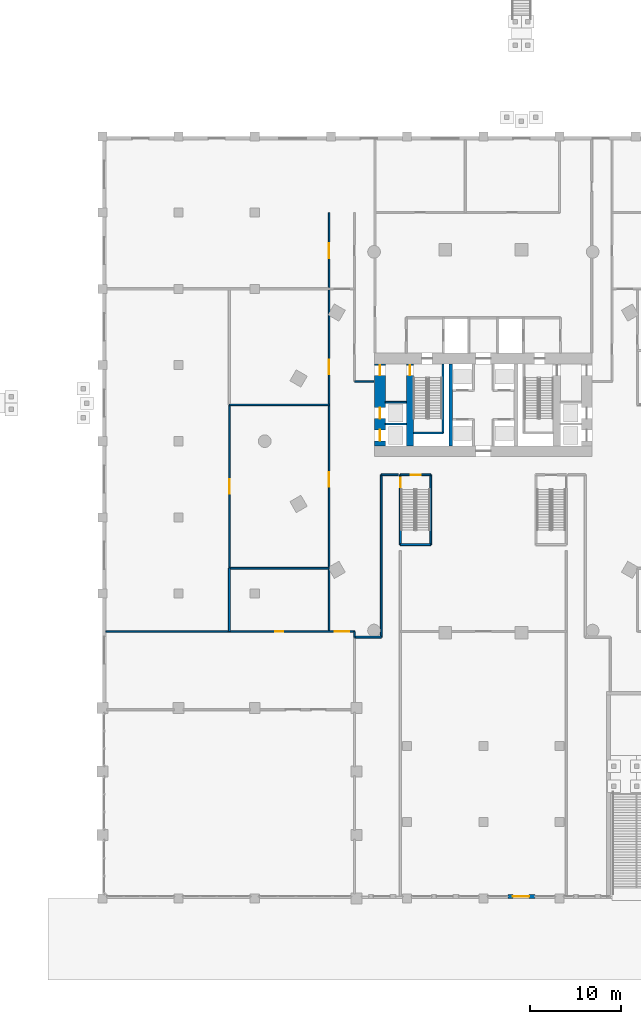
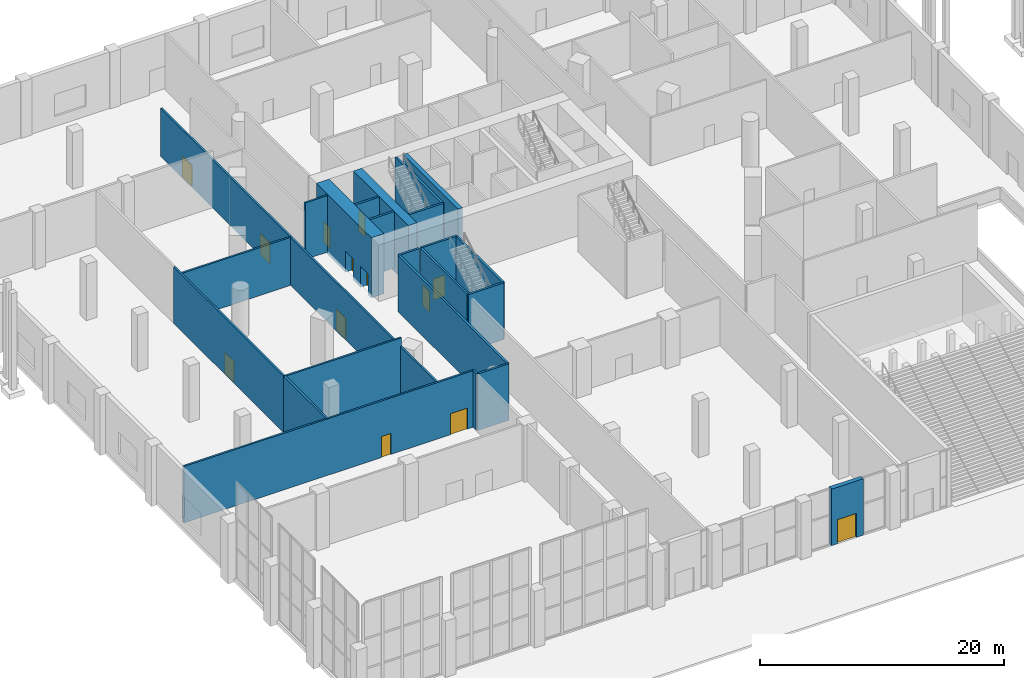
# One storey, part 13 of 25: 23 walls, 13 doors, 13 openings.
"""IFC4 building model written with IfcOpenShell, lengths in metres."""

from ifc_helpers import new_model, si_unit, direction, frame, frame_2d, origin, place, context, subcontext, project, spatial, rectangle, extrude, material, layer, layer_set, type_object, element, fill, save


model = new_model("IFC4")

# Units and contexts
model_context = context("Model", 3, precision=1e-05, world=origin(), true_north=direction((0.0, 1.0)))
body_context = subcontext(model_context, "Body", "Model", "MODEL_VIEW")
ifc_project = project(units=[si_unit("LENGTHUNIT", "METRE"), si_unit("AREAUNIT", "SQUARE_METRE"), si_unit("VOLUMEUNIT", "CUBIC_METRE"), si_unit("PLANEANGLEUNIT", "RADIAN"), si_unit("MASSUNIT", "GRAM", prefix="KILO")], contexts=[model_context])

# Site, building, storey
site_placement = place(None, origin())
site = spatial("IfcSite", under=ifc_project, at=site_placement, CompositionType="ELEMENT")
building_placement = place(site_placement, origin())
building = spatial("IfcBuilding", under=site, at=building_placement, Name="Ostrander Bayou Hotel Tower", CompositionType="ELEMENT")
storey_placement = place(building_placement, origin())
storey = spatial("IfcBuildingStorey", under=building, at=storey_placement, Name="L00", CompositionType="ELEMENT", Elevation=0.0)

# Wall, openings, doors
ifc_material_1 = material(Name="Concrete f'c 70 MPa", Category="concrete")
ifc_layer_1 = layer(ifc_material_1, 1.199951171875)
ifc_layer_set_1 = layer_set([ifc_layer_1], Name="CW1 core wall 1200 mm f'c 70 MPa")
wall_type_1 = type_object("IfcWallType", Name="CW1 core wall 1200 mm f'c 70 MPa", PredefinedType="SHEAR", material=ifc_layer_set_1)
wall_1_placement = place(storey_placement, frame((-11.39990234375, -0.5, -0.35009765625), z_axis=(0.0, 0.0, 1.0), x_axis=(0.0, 1.0, 0.0)))
wall_1 = element("IfcWall", 1, at=wall_1_placement, inside=storey, type_object=wall_type_1, Name="CW1 L00 RW", PredefinedType="SHEAR", context=body_context, shape_type="SweptSolid", body=[
    extrude(rectangle(XDim=9.0, YDim=1.199951171875, at=frame_2d((4.5, 0.0))), origin(), (0.0, 0.0, 1.0), 6.0),
])
opening_1_placement = place(wall_1_placement, frame((7.75, 0.0, 0.0)))
opening_1 = element("IfcOpeningElement", 2, at=opening_1_placement, cuts=wall_1, Name="Opening T00-017", PredefinedType="OPENING", context=body_context, shape_type="SweptSolid", body=[
    extrude(rectangle(XDim=1.10009765625, YDim=2.10009765625, at=frame_2d((0.550048828125, 1.050048828125))), frame((0.0, 0.60009765625, 0.0), z_axis=(0.0, -1.0, 0.0), x_axis=(1.0, 0.0, 0.0)), (0.0, 0.0, 1.0), 1.199951171875),
])
opening_2_placement = place(wall_1_placement, frame((0.550048828125, 0.0, 0.0)))
opening_2 = element("IfcOpeningElement", 3, at=opening_2_placement, cuts=wall_1, Name="Opening T00-018", PredefinedType="OPENING", context=body_context, shape_type="SweptSolid", body=[
    extrude(rectangle(XDim=1.199951171875, YDim=2.10009765625, at=frame_2d((0.60009765625, 1.050048828125))), frame((0.0, 0.60009765625, 0.0), z_axis=(0.0, -1.0, 0.0), x_axis=(1.0, 0.0, 0.0)), (0.0, 0.0, 1.0), 1.199951171875),
])
opening_3_placement = place(wall_1_placement, frame((3.0, 0.0, 0.0)))
opening_3 = element("IfcOpeningElement", 4, at=opening_3_placement, cuts=wall_1, Name="Opening T00-019", PredefinedType="OPENING", context=body_context, shape_type="SweptSolid", body=[
    extrude(rectangle(XDim=1.199951171875, YDim=2.10009765625, at=frame_2d((0.60009765625, 1.050048828125))), frame((0.0, 0.60009765625, 0.0), z_axis=(0.0, -1.0, 0.0), x_axis=(1.0, 0.0, 0.0)), (0.0, 0.0, 1.0), 1.199951171875),
])
ifc_material_2 = material(Name="Timber door leaf", Category="wood")
door_type_1 = type_object("IfcDoorType", Name="D5 stair door 1100 x 2100 mm, 90 minute", OperationType="SINGLE_SWING_LEFT", PredefinedType="DOOR", material=ifc_material_2)
door_1_placement = place(opening_1_placement, origin())
door_1 = element("IfcDoor", 5, at=door_1_placement, inside=storey, type_object=door_type_1, Name="dr:L00:017", OperationType="SINGLE_SWING_LEFT", OverallHeight=2.10009765625, OverallWidth=1.10009765625, PredefinedType="DOOR", context=body_context, shape_type="SweptSolid", body=[
    extrude(rectangle(XDim=1.10009765625, YDim=2.10009765625, at=frame_2d((0.550048828125, 1.050048828125))), frame((0.0, 0.02490234375, 0.0), z_axis=(0.0, -1.0, 0.0), x_axis=(1.0, 0.0, 0.0)), (0.0, 0.0, 1.0), 0.050048828125),
])
fill(opening_1, door_1)
ifc_material_3 = material(Name="Stainless steel sliding door", Category="steel")
door_type_2 = type_object("IfcDoorType", Name="LD1 lift landing door 1200 x 2100 mm", OperationType="SINGLE_SWING_LEFT", PredefinedType="DOOR", material=ifc_material_3)
door_2_placement = place(opening_2_placement, origin())
door_2 = element("IfcDoor", 6, at=door_2_placement, inside=storey, type_object=door_type_2, Name="dr:L00:018", OperationType="SLIDING_TO_LEFT", OverallHeight=2.10009765625, OverallWidth=1.199951171875, PredefinedType="DOOR", context=body_context, shape_type="SweptSolid", body=[
    extrude(rectangle(XDim=1.199951171875, YDim=2.10009765625, at=frame_2d((0.60009765625, 1.050048828125))), frame((0.0, 0.02490234375, 0.0), z_axis=(0.0, -1.0, 0.0), x_axis=(1.0, 0.0, 0.0)), (0.0, 0.0, 1.0), 0.050048828125),
])
fill(opening_2, door_2)
door_3_placement = place(opening_3_placement, origin())
door_3 = element("IfcDoor", 7, at=door_3_placement, inside=storey, type_object=door_type_2, Name="dr:L00:019", OperationType="SLIDING_TO_LEFT", OverallHeight=2.10009765625, OverallWidth=1.199951171875, PredefinedType="DOOR", context=body_context, shape_type="SweptSolid", body=[
    extrude(rectangle(XDim=1.199951171875, YDim=2.10009765625, at=frame_2d((0.60009765625, 1.050048828125))), frame((0.0, 0.02490234375, 0.0), z_axis=(0.0, -1.0, 0.0), x_axis=(1.0, 0.0, 0.0)), (0.0, 0.0, 1.0), 0.050048828125),
])
fill(opening_3, door_3)

# Wall, opening, door
ifc_material_4 = material(Name="Concrete f'c 70 MPa", Category="concrete")
ifc_layer_2 = layer(ifc_material_4, 0.800048828125)
ifc_layer_set_2 = layer_set([ifc_layer_2], Name="CW2 core spine wall 800 mm f'c 70 MPa")
wall_type_2 = type_object("IfcWallType", Name="CW2 core spine wall 800 mm f'c 70 MPa", PredefinedType="SHEAR", material=ifc_layer_set_2)
wall_2_placement = place(storey_placement, frame((-8.10009765625, -0.5, -0.35009765625), z_axis=(0.0, 0.0, 1.0), x_axis=(0.0, 1.0, 0.0)))
wall_2 = element("IfcWall", 8, at=wall_2_placement, inside=storey, type_object=wall_type_2, Name="CW2 L00 W", PredefinedType="SHEAR", context=body_context, shape_type="SweptSolid", body=[
    extrude(rectangle(XDim=9.0, YDim=0.800048828125, at=frame_2d((4.5, 0.0))), origin(), (0.0, 0.0, 1.0), 6.0),
])
opening_4_placement = place(wall_2_placement, frame((7.75, 0.0, 0.0)))
opening_4 = element("IfcOpeningElement", 9, at=opening_4_placement, cuts=wall_2, Name="Opening T00-008", PredefinedType="OPENING", context=body_context, shape_type="SweptSolid", body=[
    extrude(rectangle(XDim=1.10009765625, YDim=2.10009765625, at=frame_2d((0.550048828125, 1.050048828125))), frame((0.0, 0.39990234375, 0.0), z_axis=(0.0, -1.0, 0.0), x_axis=(1.0, 0.0, 0.0)), (0.0, 0.0, 1.0), 0.800048828125),
])
door_4_placement = place(opening_4_placement, origin())
door_4 = element("IfcDoor", 10, at=door_4_placement, inside=storey, type_object=door_type_1, Name="dr:L00:008", OperationType="SINGLE_SWING_RIGHT", OverallHeight=2.10009765625, OverallWidth=1.10009765625, PredefinedType="DOOR", context=body_context, shape_type="SweptSolid", body=[
    extrude(rectangle(XDim=1.10009765625, YDim=2.10009765625, at=frame_2d((0.550048828125, 1.050048828125))), frame((0.0, 0.02490234375, 0.0), z_axis=(0.0, -1.0, 0.0), x_axis=(1.0, 0.0, 0.0)), (0.0, 0.0, 1.0), 0.050048828125),
])
fill(opening_4, door_4)

# Walls
ifc_material_5 = material(Name="Concrete f'c 70 MPa", Category="concrete")
ifc_layer_3 = layer(ifc_material_5, 0.39990234375)
ifc_layer_set_3 = layer_set([ifc_layer_3], Name="CW3 core bank wall 400 mm f'c 70 MPa")
wall_type_3 = type_object("IfcWallType", Name="CW3 core bank wall 400 mm f'c 70 MPa", PredefinedType="SHEAR", material=ifc_layer_set_3)
wall_3_placement = place(storey_placement, frame((-3.60009765625, -0.5, -0.35009765625), z_axis=(0.0, 0.0, 1.0), x_axis=(0.0, 1.0, 0.0)))
element("IfcWall", 11, at=wall_3_placement, inside=storey, type_object=wall_type_3, Name="CW3 L00 CW", PredefinedType="SHEAR", context=body_context, shape_type="SweptSolid", body=[
    extrude(rectangle(XDim=9.0, YDim=0.39990234375, at=frame_2d((4.5, 0.0))), origin(), (0.0, 0.0, 1.0), 6.0),
])
ifc_material_6 = material(Name="Gypsum board partition", Category="finish")
ifc_layer_4 = layer(ifc_material_6, 0.199951171875)
ifc_layer_set_4 = layer_set([ifc_layer_4], Name="PT3 demising wall 200 mm acoustic double stud, 1 hour")
wall_type_4 = type_object("IfcWallType", Name="PT3 demising wall 200 mm acoustic double stud, 1 hour", PredefinedType="PARTITIONING", material=ifc_layer_set_4)
wall_4_placement = place(storey_placement, frame((-28.0, -21.0, 0.0), z_axis=(0.0, 0.0, 1.0), x_axis=(0.0, 1.0, 0.0)))
element("IfcWall", 12, at=wall_4_placement, inside=storey, type_object=wall_type_4, Name="sw:L00:044", PredefinedType="PARTITIONING", context=body_context, shape_type="SweptSolid", body=[
    extrude(rectangle(XDim=7.0, YDim=0.199951171875, at=frame_2d((3.5, 0.0))), origin(), (0.0, 0.0, 1.0), 5.64990234375),
])

# Wall, openings, doors
ifc_material_7 = material(Name="Gypsum board partition", Category="finish")
ifc_layer_5 = layer(ifc_material_7, 0.175048828125)
ifc_layer_set_5 = layer_set([ifc_layer_5], Name="PT4 corridor wall 175 mm, 1 hour")
wall_type_5 = type_object("IfcWallType", Name="PT4 corridor wall 175 mm, 1 hour", PredefinedType="PARTITIONING", material=ifc_layer_set_5)
wall_5_placement = place(storey_placement, frame((-41.6201171875, -21.0, 0.0), z_axis=(0.0, 0.0, 1.0), x_axis=(1.0, 0.0, 0.0)))
wall_5 = element("IfcWall", 13, at=wall_5_placement, inside=storey, type_object=wall_type_5, Name="sw:L00:004", PredefinedType="PARTITIONING", context=body_context, shape_type="SweptSolid", body=[
    extrude(rectangle(XDim=27.420166015625, YDim=0.175048828125, at=frame_2d((13.7099609375, 0.0))), origin(), (0.0, 0.0, 1.0), 5.64990234375),
])
opening_5_placement = place(wall_5_placement, frame((25.219970703125, 0.0, 0.0)))
opening_5 = element("IfcOpeningElement", 14, at=opening_5_placement, cuts=wall_5, Name="Opening T00-202", PredefinedType="OPENING", context=body_context, shape_type="SweptSolid", body=[
    extrude(rectangle(XDim=1.60009765625, YDim=2.10009765625, at=frame_2d((0.800048828125, 1.050048828125))), frame((0.0, 0.08740234375, 0.0), z_axis=(0.0, -1.0, 0.0), x_axis=(1.0, 0.0, 0.0)), (0.0, 0.0, 1.0), 0.175048828125),
])
opening_6_placement = place(wall_5_placement, frame((18.669921875, 0.0, 0.0)))
opening_6 = element("IfcOpeningElement", 15, at=opening_6_placement, cuts=wall_5, Name="Opening T00-212", PredefinedType="OPENING", context=body_context, shape_type="SweptSolid", body=[
    extrude(rectangle(XDim=0.89990234375, YDim=2.10009765625, at=frame_2d((0.449951171875, 1.050048828125))), frame((0.0, 0.08740234375, 0.0), z_axis=(0.0, -1.0, 0.0), x_axis=(1.0, 0.0, 0.0)), (0.0, 0.0, 1.0), 0.175048828125),
])
ifc_material_8 = material(Name="Timber door leaf", Category="wood")
door_type_3 = type_object("IfcDoorType", Name="D13 double door 1600 x 2100 mm, 1 hour", OperationType="SINGLE_SWING_LEFT", PredefinedType="DOOR", material=ifc_material_8)
door_5_placement = place(opening_5_placement, origin())
door_5 = element("IfcDoor", 16, at=door_5_placement, inside=storey, type_object=door_type_3, Name="dr:L00:202", OperationType="DOUBLE_DOOR_SINGLE_SWING", OverallHeight=2.10009765625, OverallWidth=1.60009765625, PredefinedType="DOOR", context=body_context, shape_type="SweptSolid", body=[
    extrude(rectangle(XDim=1.60009765625, YDim=2.10009765625, at=frame_2d((0.800048828125, 1.050048828125))), frame((0.0, 0.02490234375, 0.0), z_axis=(0.0, -1.0, 0.0), x_axis=(1.0, 0.0, 0.0)), (0.0, 0.0, 1.0), 0.050048828125),
])
fill(opening_5, door_5)
ifc_material_9 = material(Name="Timber door leaf", Category="wood")
door_type_4 = type_object("IfcDoorType", Name="D8 room door 900 x 2100 mm", OperationType="SINGLE_SWING_LEFT", PredefinedType="DOOR", material=ifc_material_9)
door_6_placement = place(opening_6_placement, origin())
door_6 = element("IfcDoor", 17, at=door_6_placement, inside=storey, type_object=door_type_4, Name="dr:L00:212", OperationType="SINGLE_SWING_RIGHT", OverallHeight=2.10009765625, OverallWidth=0.89990234375, PredefinedType="DOOR", context=body_context, shape_type="SweptSolid", body=[
    extrude(rectangle(XDim=0.89990234375, YDim=2.10009765625, at=frame_2d((0.449951171875, 1.050048828125))), frame((0.0, 0.02490234375, 0.0), z_axis=(0.0, -1.0, 0.0), x_axis=(1.0, 0.0, 0.0)), (0.0, 0.0, 1.0), 0.050048828125),
])
fill(opening_6, door_6)

# Walls
wall_6_placement = place(storey_placement, frame((-28.0, -14.0, 0.0), z_axis=(0.0, 0.0, 1.0), x_axis=(1.0, 0.0, 0.0)))
element("IfcWall", 18, at=wall_6_placement, inside=storey, type_object=wall_type_5, Name="sw:L00:007", PredefinedType="PARTITIONING", context=body_context, shape_type="SweptSolid", body=[
    extrude(rectangle(XDim=11.0, YDim=0.175048828125, at=frame_2d((5.5, 0.0))), origin(), (0.0, 0.0, 1.0), 5.64990234375),
])
wall_7_placement = place(storey_placement, frame((-28.0, 4.0, 0.0), z_axis=(0.0, 0.0, 1.0), x_axis=(1.0, 0.0, 0.0)))
element("IfcWall", 19, at=wall_7_placement, inside=storey, type_object=wall_type_5, Name="sw:L00:010", PredefinedType="PARTITIONING", context=body_context, shape_type="SweptSolid", body=[
    extrude(rectangle(XDim=11.0, YDim=0.175048828125, at=frame_2d((5.5, 0.0))), origin(), (0.0, 0.0, 1.0), 4.800048828125),
])
wall_8_placement = place(storey_placement, frame((-14.199951171875, 6.60009765625, 0.0), z_axis=(0.0, 0.0, 1.0), x_axis=(1.0, 0.0, 0.0)))
element("IfcWall", 20, at=wall_8_placement, inside=storey, type_object=wall_type_5, Name="sw:L00:012", PredefinedType="PARTITIONING", context=body_context, shape_type="SweptSolid", body=[
    extrude(rectangle(XDim=2.119873046875, YDim=0.175048828125, at=frame_2d((1.06005859375, 0.0))), origin(), (0.0, 0.0, 1.0), 5.64990234375),
])

# Wall, opening, door
wall_9_placement = place(storey_placement, frame((-28.0, -14.0, 0.0), z_axis=(0.0, 0.0, 1.0), x_axis=(0.0, 1.0, 0.0)))
wall_9 = element("IfcWall", 21, at=wall_9_placement, inside=storey, type_object=wall_type_5, Name="sw:L00:022", PredefinedType="PARTITIONING", context=body_context, shape_type="SweptSolid", body=[
    extrude(rectangle(XDim=18.0, YDim=0.175048828125, at=frame_2d((9.0, 0.0))), origin(), (0.0, 0.0, 1.0), 5.64990234375),
])
opening_7_placement = place(wall_9_placement, frame((8.199951171875, 0.0, 0.0)))
opening_7 = element("IfcOpeningElement", 22, at=opening_7_placement, cuts=wall_9, Name="Opening T00-221", PredefinedType="OPENING", context=body_context, shape_type="SweptSolid", body=[
    extrude(rectangle(XDim=1.60009765625, YDim=2.10009765625, at=frame_2d((0.800048828125, 1.050048828125))), frame((0.0, 0.08740234375, 0.0), z_axis=(0.0, -1.0, 0.0), x_axis=(1.0, 0.0, 0.0)), (0.0, 0.0, 1.0), 0.175048828125),
])
door_7_placement = place(opening_7_placement, origin())
door_7 = element("IfcDoor", 23, at=door_7_placement, inside=storey, type_object=door_type_3, Name="dr:L00:221", OperationType="DOUBLE_DOOR_SINGLE_SWING", OverallHeight=2.10009765625, OverallWidth=1.60009765625, PredefinedType="DOOR", context=body_context, shape_type="SweptSolid", body=[
    extrude(rectangle(XDim=1.60009765625, YDim=2.10009765625, at=frame_2d((0.800048828125, 1.050048828125))), frame((0.0, 0.02490234375, 0.0), z_axis=(0.0, -1.0, 0.0), x_axis=(1.0, 0.0, 0.0)), (0.0, 0.0, 1.0), 0.050048828125),
])
fill(opening_7, door_7)

# Wall, openings, doors
wall_10_placement = place(storey_placement, frame((-17.0, -21.0, 0.0), z_axis=(0.0, 0.0, 1.0), x_axis=(0.0, 1.0, 0.0)))
wall_10 = element("IfcWall", 24, at=wall_10_placement, inside=storey, type_object=wall_type_5, Name="sw:L00:023", PredefinedType="PARTITIONING", context=body_context, shape_type="SweptSolid", body=[
    extrude(rectangle(XDim=46.199951171875, YDim=0.175048828125, at=frame_2d((23.10009765625, 0.0))), origin(), (0.0, 0.0, 1.0), 4.800048828125),
])
opening_8_placement = place(wall_10_placement, frame((15.99609375, 0.0, 0.0)))
opening_8 = element("IfcOpeningElement", 25, at=opening_8_placement, cuts=wall_10, Name="Opening T00-213", PredefinedType="OPENING", context=body_context, shape_type="SweptSolid", body=[
    extrude(rectangle(XDim=1.60009765625, YDim=2.10009765625, at=frame_2d((0.800048828125, 1.050048828125))), frame((0.0, 0.08740234375, 0.0), z_axis=(0.0, -1.0, 0.0), x_axis=(1.0, 0.0, 0.0)), (0.0, 0.0, 1.0), 0.175048828125),
])
opening_9_placement = place(wall_10_placement, frame((28.40380859375, 0.0, 0.0)))
opening_9 = element("IfcOpeningElement", 26, at=opening_9_placement, cuts=wall_10, Name="Opening T00-216", PredefinedType="OPENING", context=body_context, shape_type="SweptSolid", body=[
    extrude(rectangle(XDim=1.60009765625, YDim=2.10009765625, at=frame_2d((0.800048828125, 1.050048828125))), frame((0.0, 0.08740234375, 0.0), z_axis=(0.0, -1.0, 0.0), x_axis=(1.0, 0.0, 0.0)), (0.0, 0.0, 1.0), 0.175048828125),
])
opening_10_placement = place(wall_10_placement, frame((41.199951171875, 0.0, 0.0)))
opening_10 = element("IfcOpeningElement", 27, at=opening_10_placement, cuts=wall_10, Name="Opening T00-222", PredefinedType="OPENING", context=body_context, shape_type="SweptSolid", body=[
    extrude(rectangle(XDim=1.60009765625, YDim=2.10009765625, at=frame_2d((0.800048828125, 1.050048828125))), frame((0.0, 0.08740234375, 0.0), z_axis=(0.0, -1.0, 0.0), x_axis=(1.0, 0.0, 0.0)), (0.0, 0.0, 1.0), 0.175048828125),
])
door_8_placement = place(opening_8_placement, origin())
door_8 = element("IfcDoor", 28, at=door_8_placement, inside=storey, type_object=door_type_3, Name="dr:L00:213", OperationType="DOUBLE_DOOR_SINGLE_SWING", OverallHeight=2.10009765625, OverallWidth=1.60009765625, PredefinedType="DOOR", context=body_context, shape_type="SweptSolid", body=[
    extrude(rectangle(XDim=1.60009765625, YDim=2.10009765625, at=frame_2d((0.800048828125, 1.050048828125))), frame((0.0, 0.02490234375, 0.0), z_axis=(0.0, -1.0, 0.0), x_axis=(1.0, 0.0, 0.0)), (0.0, 0.0, 1.0), 0.050048828125),
])
fill(opening_8, door_8)
door_9_placement = place(opening_9_placement, origin())
door_9 = element("IfcDoor", 29, at=door_9_placement, inside=storey, type_object=door_type_3, Name="dr:L00:216", OperationType="DOUBLE_DOOR_SINGLE_SWING", OverallHeight=2.10009765625, OverallWidth=1.60009765625, PredefinedType="DOOR", context=body_context, shape_type="SweptSolid", body=[
    extrude(rectangle(XDim=1.60009765625, YDim=2.10009765625, at=frame_2d((0.800048828125, 1.050048828125))), frame((0.0, 0.02490234375, 0.0), z_axis=(0.0, -1.0, 0.0), x_axis=(1.0, 0.0, 0.0)), (0.0, 0.0, 1.0), 0.050048828125),
])
fill(opening_9, door_9)
door_10_placement = place(opening_10_placement, origin())
door_10 = element("IfcDoor", 30, at=door_10_placement, inside=storey, type_object=door_type_3, Name="dr:L00:222", OperationType="DOUBLE_DOOR_SINGLE_SWING", OverallHeight=2.10009765625, OverallWidth=1.60009765625, PredefinedType="DOOR", context=body_context, shape_type="SweptSolid", body=[
    extrude(rectangle(XDim=1.60009765625, YDim=2.10009765625, at=frame_2d((0.800048828125, 1.050048828125))), frame((0.0, 0.02490234375, 0.0), z_axis=(0.0, -1.0, 0.0), x_axis=(1.0, 0.0, 0.0)), (0.0, 0.0, 1.0), 0.050048828125),
])
fill(opening_10, door_10)

# Walls
wall_11_placement = place(storey_placement, frame((-14.199951171875, -21.60009765625, 0.0), z_axis=(0.0, 0.0, 1.0), x_axis=(0.0, 1.0, 0.0)))
element("IfcWall", 31, at=wall_11_placement, inside=storey, type_object=wall_type_5, Name="sw:L00:024", PredefinedType="PARTITIONING", context=body_context, shape_type="SweptSolid", body=[
    extrude(rectangle(XDim=0.60009765625, YDim=0.175048828125, at=frame_2d((0.300048828125, 0.0))), origin(), (0.0, 0.0, 1.0), 5.64990234375),
])
ifc_material_10 = material(Name="Masonry block", Category="masonry")
ifc_layer_6 = layer(ifc_material_10, 0.199951171875)
ifc_layer_set_6 = layer_set([ifc_layer_6], Name="PT5 stair enclosure wall 200 mm masonry, 2 hour")
wall_type_6 = type_object("IfcWallType", Name="PT5 stair enclosure wall 200 mm masonry, 2 hour", PredefinedType="PARTITIONING", material=ifc_layer_set_6)
wall_12_placement = place(storey_placement, frame((-14.199951171875, -21.60009765625, 0.0), z_axis=(0.0, 0.0, 1.0), x_axis=(1.0, 0.0, 0.0)))
element("IfcWall", 32, at=wall_12_placement, inside=storey, type_object=wall_type_6, Name="sw:L00:049", PredefinedType="PARTITIONING", context=body_context, shape_type="SweptSolid", body=[
    extrude(rectangle(XDim=2.949951171875, YDim=0.199951171875, at=frame_2d((1.47509765625, 0.0))), origin(), (0.0, 0.0, 1.0), 5.64990234375),
])
wall_13_placement = place(storey_placement, frame((-11.25, -3.699951171875, 0.0), z_axis=(0.0, 0.0, 1.0), x_axis=(1.0, 0.0, 0.0)))
element("IfcWall", 33, at=wall_13_placement, inside=storey, type_object=wall_type_6, Name="sw:L00:051", PredefinedType="PARTITIONING", context=body_context, shape_type="SweptSolid", body=[
    extrude(rectangle(XDim=1.8701171875, YDim=0.199951171875, at=frame_2d((0.93505859375, 0.0))), origin(), (0.0, 0.0, 1.0), 5.64990234375),
])
wall_14_placement = place(storey_placement, frame((-11.25, -21.60009765625, 0.0), z_axis=(0.0, 0.0, 1.0), x_axis=(0.0, 1.0, 0.0)))
element("IfcWall", 34, at=wall_14_placement, inside=storey, type_object=wall_type_6, Name="sw:L00:057", PredefinedType="PARTITIONING", context=body_context, shape_type="SweptSolid", body=[
    extrude(rectangle(XDim=17.900146484375, YDim=0.199951171875, at=frame_2d((8.9501953125, 0.0))), origin(), (0.0, 0.0, 1.0), 5.64990234375),
])
ifc_material_11 = material(Name="Masonry block", Category="masonry")
ifc_layer_7 = layer(ifc_material_11, 0.199951171875)
ifc_layer_set_7 = layer_set([ifc_layer_7], Name="PT6 lift shaft wall 200 mm masonry, 2 hour")
wall_type_7 = type_object("IfcWallType", Name="PT6 lift shaft wall 200 mm masonry, 2 hour", PredefinedType="PARTITIONING", material=ifc_layer_set_7)
for number, where, z_axis, x_axis, name in (
    (35, (-10.800048828125, 1.89990234375, 0.0), (0.0, 0.0, 1.0), (1.0, 0.0, 0.0), "cs:L00:028"),
    (36, (-10.800048828125, 4.300048828125, 0.0), (0.0, 0.0, 1.0), (1.0, 0.0, 0.0), "cs:L00:029"),
):
    element("IfcWall", number, at=place(storey_placement, frame(where, z_axis=z_axis, x_axis=x_axis)), inside=storey, type_object=wall_type_7, Name=name, PredefinedType="PARTITIONING", context=body_context, shape_type="SweptSolid", body=[
        extrude(rectangle(XDim=2.300048828125, YDim=0.199951171875, at=frame_2d((1.14990234375, 0.0))), origin(), (0.0, 0.0, 1.0), 5.64990234375),
    ])

# Wall, opening, door
ifc_material_12 = material(Name="Reconstituted stone on masonry backing", Category="masonry")
ifc_layer_8 = layer(ifc_material_12, 0.39990234375)
ifc_layer_set_8 = layer_set([ifc_layer_8], Name="PW1 stone cladding wall 400 mm")
wall_type_8 = type_object("IfcWallType", Name="PW1 stone cladding wall 400 mm", PredefinedType="SOLIDWALL", material=ifc_layer_set_8)
wall_15_placement = place(storey_placement, frame((5.699951171875, -50.199951171875, 0.0), z_axis=(0.0, 0.0, 1.0), x_axis=(-1.0, 0.0, 0.0)))
wall_15 = element("IfcWall", 37, at=wall_15_placement, inside=storey, type_object=wall_type_8, Name="pw:L00:3", PredefinedType="SOLIDWALL", context=body_context, shape_type="SweptSolid", body=[
    extrude(rectangle(XDim=3.0, YDim=0.39990234375, at=frame_2d((1.5, 0.0))), origin(), (0.0, 0.0, 1.0), 5.64990234375),
])
opening_11_placement = place(wall_15_placement, frame((0.64990234375, 0.0, 0.0)))
opening_11 = element("IfcOpeningElement", 38, at=opening_11_placement, cuts=wall_15, Name="Opening E3", PredefinedType="OPENING", context=body_context, shape_type="SweptSolid", body=[
    extrude(rectangle(XDim=1.800048828125, YDim=2.39990234375, at=frame_2d((0.89990234375, 1.199951171875))), frame((0.0, 0.199951171875, 0.0), z_axis=(0.0, -1.0, 0.0), x_axis=(1.0, 0.0, 0.0)), (0.0, 0.0, 1.0), 0.39990234375),
])
ifc_material_13 = material(Name="Aluminium and clear glass", Category="aluminium")
door_type_5 = type_object("IfcDoorType", Name="ED1 entrance door 1800 mm", OperationType="DOUBLE_DOOR_SINGLE_SWING", PredefinedType="DOOR", material=ifc_material_13)
door_11_placement = place(opening_11_placement, origin())
door_11 = element("IfcDoor", 39, at=door_11_placement, inside=storey, type_object=door_type_5, Name="ED1 E3", OperationType="SINGLE_SWING_LEFT", OverallHeight=2.39990234375, OverallWidth=1.800048828125, PredefinedType="DOOR", context=body_context, shape_type="SweptSolid", body=[
    extrude(rectangle(XDim=1.800048828125, YDim=2.39990234375, at=frame_2d((0.89990234375, 1.199951171875))), frame((0.0, 0.02490234375, 0.0), z_axis=(0.0, -1.0, 0.0), x_axis=(1.0, 0.0, 0.0)), (0.0, 0.0, 1.0), 0.050048828125),
])
fill(opening_11, door_11)

# Walls
ifc_material_14 = material(Name="Concrete f'c 45 MPa", Category="concrete")
ifc_layer_9 = layer(ifc_material_14, 0.199951171875)
ifc_layer_set_9 = layer_set([ifc_layer_9], Name="SW5 stair enclosure wall 200 mm f'c 45 MPa")
wall_type_9 = type_object("IfcWallType", Name="SW5 stair enclosure wall 200 mm f'c 45 MPa", PredefinedType="SOLIDWALL", material=ifc_layer_set_9)
wall_16_placement = place(storey_placement, frame((-4.449951171875, 0.89990234375, -0.35009765625), z_axis=(0.0, 0.0, 1.0), x_axis=(0.0, 1.0, 0.0)))
element("IfcWall", 40, at=wall_16_placement, inside=storey, type_object=wall_type_9, Name="cs:L00:009", PredefinedType="SOLIDWALL", context=body_context, shape_type="SweptSolid", body=[
    extrude(rectangle(XDim=7.60009765625, YDim=0.199951171875, at=frame_2d((3.800048828125, 0.0))), origin(), (0.0, 0.0, 1.0), 6.0),
])
wall_17_placement = place(storey_placement, frame((-7.699951171875, 0.89990234375, -0.35009765625), z_axis=(0.0, 0.0, 1.0), x_axis=(1.0, 0.0, 0.0)))
element("IfcWall", 41, at=wall_17_placement, inside=storey, type_object=wall_type_9, Name="cs:L00:010", PredefinedType="SOLIDWALL", context=body_context, shape_type="SweptSolid", body=[
    extrude(rectangle(XDim=3.25, YDim=0.199951171875, at=frame_2d((1.625, 0.0))), origin(), (0.0, 0.0, 1.0), 6.0),
])

# Wall, opening, door
wall_18_placement = place(storey_placement, frame((-9.14990234375, -3.699951171875, 0.0), z_axis=(0.0, 0.0, 1.0), x_axis=(1.0, 0.0, 0.0)))
wall_18 = element("IfcWall", 42, at=wall_18_placement, inside=storey, type_object=wall_type_9, Name="cs:L00:017", PredefinedType="SOLIDWALL", context=body_context, shape_type="SweptSolid", body=[
    extrude(rectangle(XDim=3.349853515625, YDim=0.199951171875, at=frame_2d((1.6748046875, 0.0))), origin(), (0.0, 0.0, 1.0), 5.64990234375),
])
opening_12_placement = place(wall_18_placement, frame((1.125, 0.0, 0.0)))
opening_12 = element("IfcOpeningElement", 43, at=opening_12_placement, cuts=wall_18, Name="Opening T00-012", PredefinedType="OPENING", context=body_context, shape_type="SweptSolid", body=[
    extrude(rectangle(XDim=1.10009765625, YDim=2.10009765625, at=frame_2d((0.550048828125, 1.050048828125))), frame((0.0, 0.10009765625, 0.0), z_axis=(0.0, -1.0, 0.0), x_axis=(1.0, 0.0, 0.0)), (0.0, 0.0, 1.0), 0.199951171875),
])
door_12_placement = place(opening_12_placement, origin())
door_12 = element("IfcDoor", 44, at=door_12_placement, inside=storey, type_object=door_type_1, Name="dr:L00:012", OperationType="SINGLE_SWING_LEFT", OverallHeight=2.10009765625, OverallWidth=1.10009765625, PredefinedType="DOOR", context=body_context, shape_type="SweptSolid", body=[
    extrude(rectangle(XDim=1.10009765625, YDim=2.10009765625, at=frame_2d((0.550048828125, 1.050048828125))), frame((0.0, 0.02490234375, 0.0), z_axis=(0.0, -1.0, 0.0), x_axis=(1.0, 0.0, 0.0)), (0.0, 0.0, 1.0), 0.050048828125),
])
fill(opening_12, door_12)

wall_19_placement = place(storey_placement, frame((-9.14990234375, -3.699951171875, 0.0), z_axis=(0.0, 0.0, 1.0), x_axis=(0.0, -1.0, 0.0)))
wall_19 = element("IfcWall", 45, at=wall_19_placement, inside=storey, type_object=wall_type_9, Name="cs:L00:018", PredefinedType="SOLIDWALL", context=body_context, shape_type="SweptSolid", body=[
    extrude(rectangle(XDim=7.699951171875, YDim=0.199951171875, at=frame_2d((3.85009765625, 0.0))), origin(), (0.0, 0.0, 1.0), 5.64990234375),
])
opening_13_placement = place(wall_19_placement, frame((0.300048828125, 0.0, 0.0)))
opening_13 = element("IfcOpeningElement", 46, at=opening_13_placement, cuts=wall_19, Name="Opening T00-233", PredefinedType="OPENING", context=body_context, shape_type="SweptSolid", body=[
    extrude(rectangle(XDim=1.10009765625, YDim=2.10009765625, at=frame_2d((0.550048828125, 1.050048828125))), frame((0.0, 0.10009765625, 0.0), z_axis=(0.0, -1.0, 0.0), x_axis=(1.0, 0.0, 0.0)), (0.0, 0.0, 1.0), 0.199951171875),
])
door_13_placement = place(opening_13_placement, origin())
door_13 = element("IfcDoor", 47, at=door_13_placement, inside=storey, type_object=door_type_1, Name="dr:L00:233", OperationType="SINGLE_SWING_LEFT", OverallHeight=2.10009765625, OverallWidth=1.10009765625, PredefinedType="DOOR", context=body_context, shape_type="SweptSolid", body=[
    extrude(rectangle(XDim=1.10009765625, YDim=2.10009765625, at=frame_2d((0.550048828125, 1.050048828125))), frame((0.0, 0.02490234375, 0.0), z_axis=(0.0, -1.0, 0.0), x_axis=(1.0, 0.0, 0.0)), (0.0, 0.0, 1.0), 0.050048828125),
])
fill(opening_13, door_13)

# Walls
wall_20_placement = place(storey_placement, frame((-5.800048828125, -3.699951171875, 0.0), z_axis=(0.0, 0.0, 1.0), x_axis=(0.0, -1.0, 0.0)))
element("IfcWall", 48, at=wall_20_placement, inside=storey, type_object=wall_type_9, Name="cs:L00:019", PredefinedType="SOLIDWALL", context=body_context, shape_type="SweptSolid", body=[
    extrude(rectangle(XDim=7.699951171875, YDim=0.199951171875, at=frame_2d((3.85009765625, 0.0))), origin(), (0.0, 0.0, 1.0), 5.64990234375),
])
wall_21_placement = place(storey_placement, frame((-9.14990234375, -11.39990234375, 0.0), z_axis=(0.0, 0.0, 1.0), x_axis=(1.0, 0.0, 0.0)))
element("IfcWall", 49, at=wall_21_placement, inside=storey, type_object=wall_type_9, Name="cs:L00:020", PredefinedType="SOLIDWALL", context=body_context, shape_type="SweptSolid", body=[
    extrude(rectangle(XDim=3.349853515625, YDim=0.199951171875, at=frame_2d((1.6748046875, 0.0))), origin(), (0.0, 0.0, 1.0), 5.64990234375),
])

save(model, "model.ifc")
